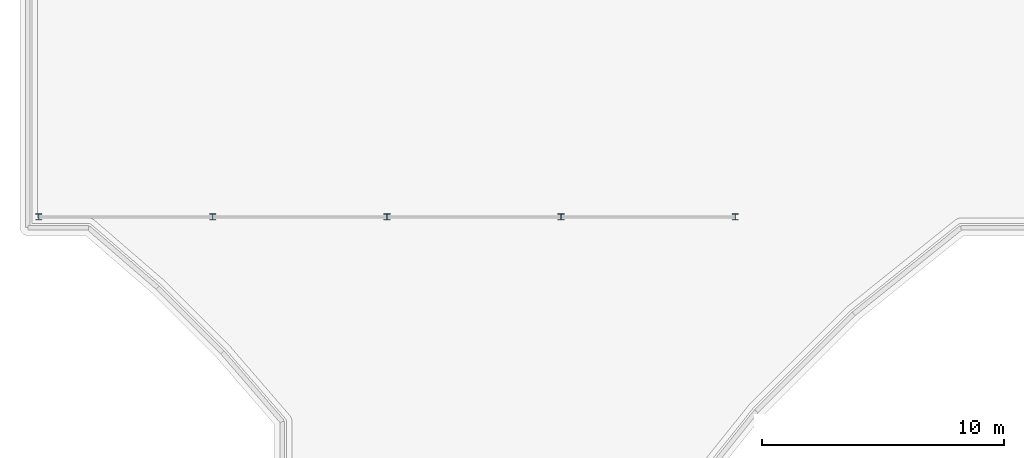
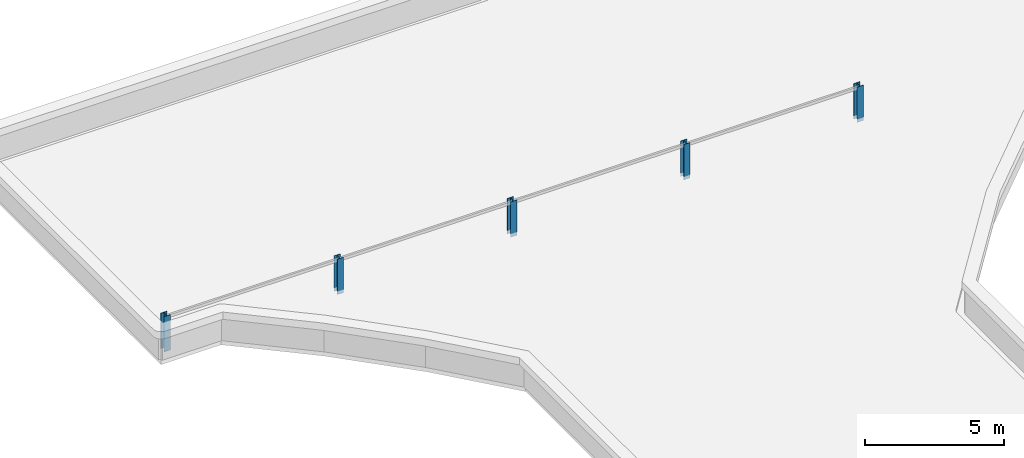
# One storey, part 1 of 18: 5 columns.
"""IFC4 building model written with IfcOpenShell, lengths in metres."""

from ifc_helpers import new_model, si_unit, direction, frame, origin, origin_2d, place, context, subcontext, project, spatial, i_section, extrude, material, material_profile, profile_set, type_object, element, save


model = new_model("IFC4")

# Units and contexts
model_context = context("Model", 3, precision=1e-05, world=origin(), true_north=direction((0.0, 1.0)))
body_context = subcontext(model_context, "Body", "Model", "MODEL_VIEW")
ifc_project = project(units=[si_unit("LENGTHUNIT", "METRE"), si_unit("AREAUNIT", "SQUARE_METRE"), si_unit("VOLUMEUNIT", "CUBIC_METRE"), si_unit("PLANEANGLEUNIT", "RADIAN"), si_unit("MASSUNIT", "GRAM", prefix="KILO")], contexts=[model_context])

# Site, building, storey
site_placement = place(None, origin())
site = spatial("IfcSite", under=ifc_project, at=site_placement, CompositionType="ELEMENT")
building_placement = place(site_placement, origin())
building = spatial("IfcBuilding", under=site, at=building_placement, Name="Keldmere Railside Commons", CompositionType="ELEMENT")
storey_placement = place(building_placement, frame((0.0, 0.0, 39.360107421875)))
storey = spatial("IfcBuildingStorey", under=building, at=storey_placement, Name="L12", CompositionType="ELEMENT", Elevation=39.360107421875)

# Columns
ifc_material = material(Name="Steel F-36 (S355)", Category="steel")
ifc_material_profile = material_profile(ifc_material, i_section(OverallWidth=0.260009765625, OverallDepth=0.260009765625, WebThickness=0.010009765625, FlangeThickness=0.017578125, at=origin_2d()), Name="HEB-260")
ifc_profile_set = profile_set([ifc_material_profile], Name="Steel F-36 (S355)")
column_type = type_object("IfcColumnType", Name="Pavilion Clerestory Steel Post HEB260", PredefinedType="COLUMN", material=ifc_profile_set)
for number, where, z_axis, x_axis, name in (
    (1, (93.949951171875, 100.449951171875, 0.0), (0.0, 0.0, 1.0), (1.0, 0.0, 0.0), "SC-3 COL-L12-0822"),
    (2, (101.133056640625, 100.449951171875, 0.0), (0.0, 0.0, 1.0), (1.0, 0.0, 0.0), "SC-3 COL-L12-0891"),
    (3, (108.31689453125, 100.449951171875, 0.0), (0.0, 0.0, 1.0), (1.0, 0.0, 0.0), "SC-3 COL-L12-0991"),
    (4, (115.5, 100.449951171875, 0.0), (0.0, 0.0, 1.0), (1.0, 0.0, 0.0), "SC-3 COL-L12-1108"),
    (5, (122.68310546875, 100.449951171875, 0.0), (0.0, 0.0, 1.0), (1.0, 0.0, 0.0), "SC-3 COL-L12-1246"),
):
    element("IfcColumn", number, at=place(storey_placement, frame(where, z_axis=z_axis, x_axis=x_axis)), inside=storey, type_object=column_type, Name=name, PredefinedType="COLUMN", context=body_context, shape_type="SweptSolid", body=[
        extrude(i_section(OverallWidth=0.260009765625, OverallDepth=0.260009765625, WebThickness=0.010009765625, FlangeThickness=0.017578125, at=origin_2d()), origin(), (0.0, 0.0, 1.0), 1.5498046875),
    ])

save(model, "model.ifc")
